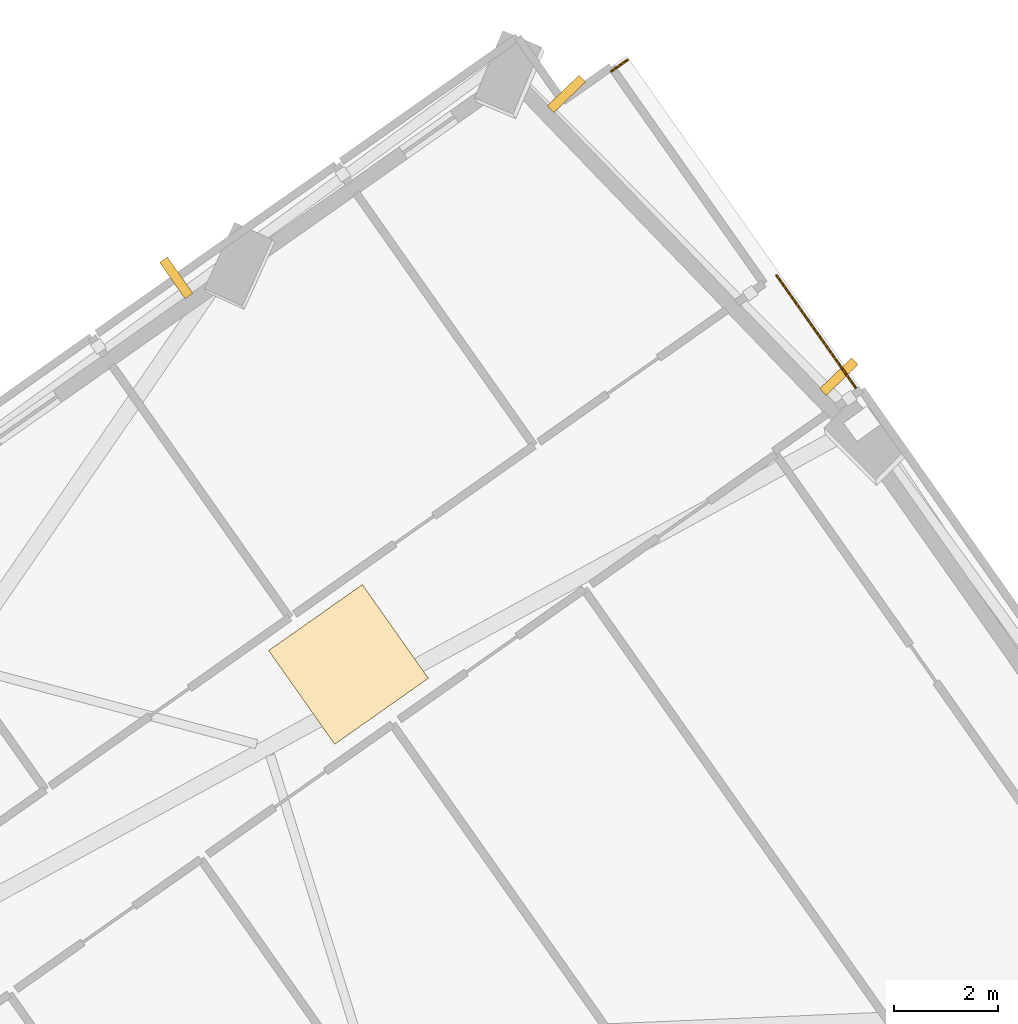
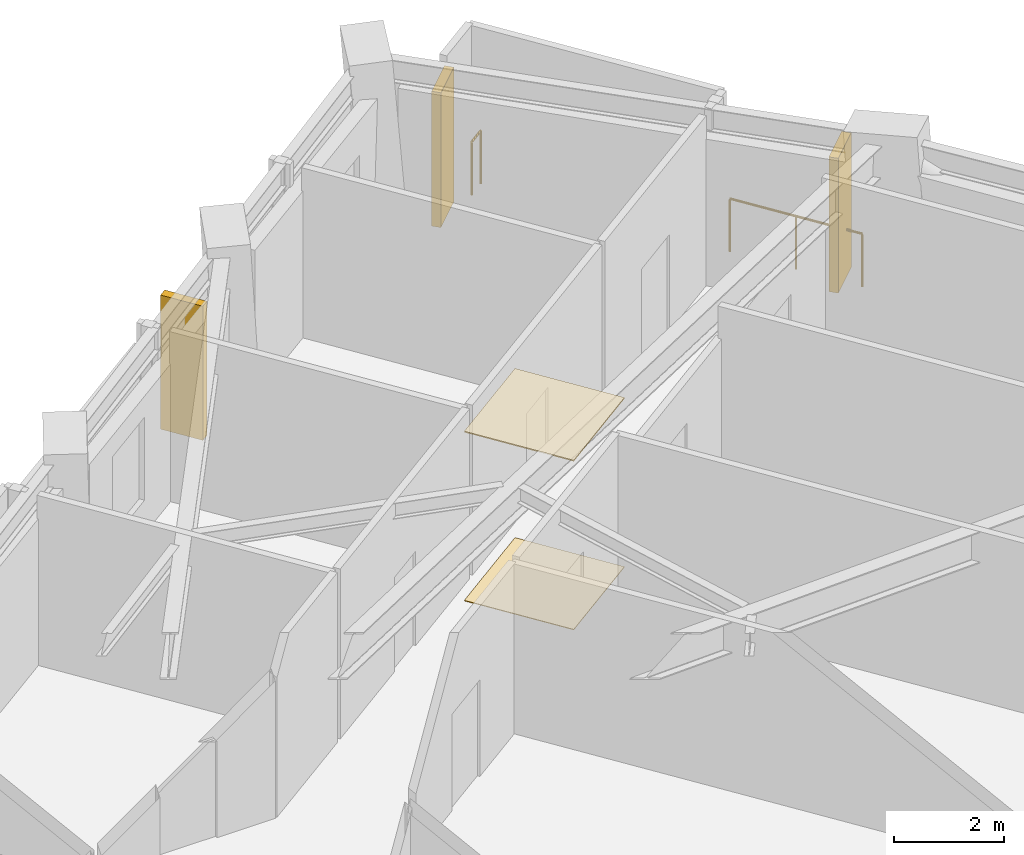
# One storey, part 13 of 13: 3 shading devices, 2 coverings, 2 railings.
"""IFC4 building model written with IfcOpenShell, lengths in metres."""

from ifc_helpers import new_model, si_unit, direction, frame, origin, origin_2d, place, context, subcontext, project, spatial, rectangle, circle, extrude, material, layer, layer_set, type_object, element, save


model = new_model("IFC4")

# Units and contexts
model_context = context("Model", 3, precision=1e-05, world=origin(), true_north=direction((0.0, 1.0)))
body_context = subcontext(model_context, "Body", "Model", "MODEL_VIEW")
ifc_project = project(units=[si_unit("LENGTHUNIT", "METRE"), si_unit("AREAUNIT", "SQUARE_METRE"), si_unit("VOLUMEUNIT", "CUBIC_METRE"), si_unit("PLANEANGLEUNIT", "RADIAN"), si_unit("MASSUNIT", "GRAM", prefix="KILO")], contexts=[model_context])

# Site, building, storey
site_placement = place(None, origin())
site = spatial("IfcSite", under=ifc_project, at=site_placement, CompositionType="ELEMENT")
building_placement = place(site_placement, origin())
building = spatial("IfcBuilding", under=site, at=building_placement, Name="Gaonmaruhae Medical Tower", CompositionType="ELEMENT")
storey_placement = place(building_placement, frame((0.0, 0.0, 173.800048828125)))
storey = spatial("IfcBuildingStorey", under=building, at=storey_placement, Name="L41", CompositionType="ELEMENT", Elevation=173.800048828125)

# Coverings
ifc_material_1 = material(Name="Acoustic mineral ceiling tile", Category="finish")
ifc_layer_1 = layer(ifc_material_1, 0.02490234375)
ifc_layer_set_1 = layer_set([ifc_layer_1], Name="Acoustic mineral ceiling tile")
covering_type_1 = type_object("IfcCoveringType", Name="CLG-01 Antimicrobial Acoustic Mineral Ceiling", PredefinedType="CEILING", material=ifc_layer_set_1)
covering_1_placement = place(storey_placement, frame((48.5546875, 24.597900390625, 3.7548828125), z_axis=(0.0, 0.0, 1.0), x_axis=(0.817647619217, 0.575719003324, 0.0)))
element("IfcCovering", 1, at=covering_1_placement, inside=storey, type_object=covering_type_1, Name="L41 Clinical Corridor Acoustic Ceiling", PredefinedType="CEILING", context=body_context, shape_type="SweptSolid", body=[
    extrude(rectangle(XDim=2.199951171875, YDim=2.199951171875, at=origin_2d()), origin(), (0.0, 0.0, 1.0), 0.02490234375),
])
ifc_material_2 = material(Name="Seamless clinical vinyl flooring", Category="finish")
ifc_layer_2 = layer(ifc_material_2, 0.014892578125)
ifc_layer_set_2 = layer_set([ifc_layer_2], Name="Seamless clinical vinyl flooring")
covering_type_2 = type_object("IfcCoveringType", Name="FLR-01 Seamless Clinical Antistatic Vinyl Flooring", PredefinedType="FLOORING", material=ifc_layer_set_2)
covering_2_placement = place(storey_placement, frame((48.5546875, 24.597900390625, 0.00048828125), z_axis=(0.0, 0.0, 1.0), x_axis=(0.817647619217, 0.575719003324, 0.0)))
element("IfcCovering", 2, at=covering_2_placement, inside=storey, type_object=covering_type_2, Name="L41 Clinical Corridor Vinyl Flooring", PredefinedType="FLOORING", context=body_context, shape_type="SweptSolid", body=[
    extrude(rectangle(XDim=2.199951171875, YDim=2.199951171875, at=origin_2d()), origin(), (0.0, 0.0, 1.0), 0.014892578125),
])

# Railings
ifc_material_3 = material(Name="Stainless steel 316L and laminated safety glass", Category="steel")
ifc_layer_3 = layer(ifc_material_3, 0.080078125)
ifc_layer_set_3 = layer_set([ifc_layer_3], Name="Stainless steel 316L and laminated safety glass")
railing_type = type_object("IfcRailingType", Name="GD-120 Outdoor Terrace Safety Glass & Steel Balustrade", PredefinedType="BALUSTRADE", material=ifc_layer_set_3)
railing_1_placement = place(storey_placement, frame((53.595947265625, 35.98095703125, 0.0)))
element("IfcRailing", 3, at=railing_1_placement, inside=storey, type_object=railing_type, Name="L41 Perimeter Slab Edge Safety Balustrade 01", PredefinedType="BALUSTRADE", context=body_context, shape_type="SweptSolid", body=[
    extrude(circle(Radius=0.02392578125, at=origin_2d()), frame((0.0, 0.0, 1.17578125), z_axis=(0.817449222587, 0.576000667093, 0.0), x_axis=(-0.576000667093, 0.817449222587, 0.0)), (0.0, 0.0, 1.0), 0.393310546875),
    extrude(circle(Radius=0.02099609375, at=origin_2d()), origin(), (0.0, 0.0, 1.0), 1.15185546875),
    extrude(circle(Radius=0.02099609375, at=origin_2d()), frame((0.321533203125, 0.2265625, 0.0)), (0.0, 0.0, 1.0), 1.15185546875),
])
railing_2_placement = place(storey_placement, frame((56.771728515625, 32.06689453125, 0.0)))
element("IfcRailing", 4, at=railing_2_placement, inside=storey, type_object=railing_type, Name="L41 Perimeter Slab Edge Safety Balustrade 02", PredefinedType="BALUSTRADE", context=body_context, shape_type="SweptSolid", body=[
    extrude(circle(Radius=0.02392578125, at=origin_2d()), frame((0.0, 0.0, 1.17578125), z_axis=(0.575702565929, -0.817659192808, 0.0), x_axis=(0.817659192808, 0.575702565929, 0.0)), (0.0, 0.0, 1.0), 2.659912109375),
    extrude(circle(Radius=0.02099609375, at=origin_2d()), origin(), (0.0, 0.0, 1.0), 1.15185546875),
    extrude(circle(Radius=0.02099609375, at=origin_2d()), frame((0.765625, -1.08740234375, 0.0)), (0.0, 0.0, 1.0), 1.15185546875),
    extrude(circle(Radius=0.02099609375, at=origin_2d()), frame((1.53125, -2.1748046875, 0.0)), (0.0, 0.0, 1.0), 1.15185546875),
])

# Shading devices
ifc_material_4 = material(Name="Pigmented coral precast concrete C45/55", Category="concrete")
shading_device_type = type_object("IfcShadingDeviceType", Name="SD-FIN1 Tower Vertical Coral Precast Shading Fin", PredefinedType="USERDEFINED", material=ifc_material_4)
for number, where, z_axis, x_axis, name in (
    (5, (52.738037109375, 35.550048828125, 0.132568359375), (0.0, 0.0, 1.0), (0.693917266262, -0.720054739297, 0.0), "L41 Vertical Coral Precast Shading Fin E02"),
    (6, (57.968505859375, 30.12255859375, 0.132568359375), (0.0, 0.0, 1.0), (0.693917266262, -0.720054739297, 0.0), "L41 Vertical Coral Precast Shading Fin E02B"),
):
    element("IfcShadingDevice", number, at=place(storey_placement, frame(where, z_axis=z_axis, x_axis=x_axis)), inside=storey, type_object=shading_device_type, Name=name, ObjectType="FIN", PredefinedType="USERDEFINED", context=body_context, shape_type="SweptSolid", body=[
        extrude(rectangle(XDim=0.179931640625, YDim=0.85009765625, at=origin_2d()), origin(), (0.0, 0.0, 1.0), 3.0),
    ])
shading_device_placement = place(storey_placement, frame((45.248291015625, 32.017333984375, 0.0400390625), z_axis=(0.0, 0.0, 1.0), x_axis=(0.817647619217, 0.575719003324, 0.0)))
element("IfcShadingDevice", 7, at=shading_device_placement, inside=storey, type_object=shading_device_type, Name="L41 Vertical Coral Precast Shading Fin EN01B", ObjectType="FIN", PredefinedType="USERDEFINED", context=body_context, shape_type="SweptSolid", body=[
    extrude(rectangle(XDim=0.179931640625, YDim=0.85009765625, at=origin_2d()), origin(), (0.0, 0.0, 1.0), 2.985107421875),
])

save(model, "model.ifc")
